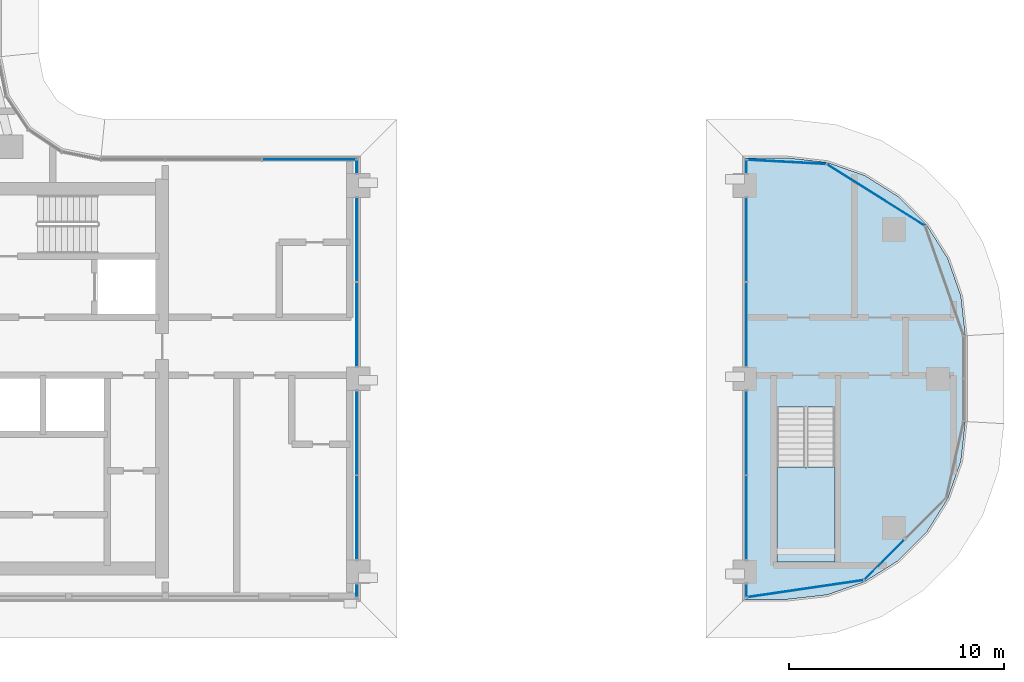
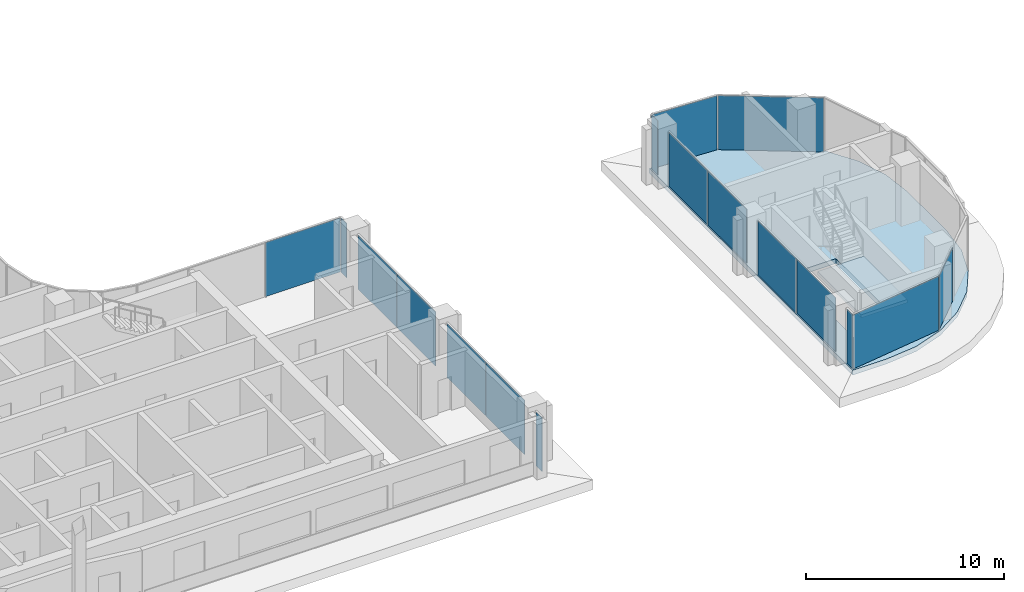
# One storey, part 9 of 27: 17 plates, 2 slabs, 12 elements without a shape of their own.
"""IFC4 building model written with IfcOpenShell, lengths in metres."""

from ifc_helpers import new_model, si_unit, direction, frame, origin, origin_2d, place, context, subcontext, project, spatial, polyline, rectangle, outline, extrude, material, layer, layer_set, type_object, element, aggregate, save


model = new_model("IFC4")

# Units and contexts
model_context = context("Model", 3, precision=1e-05, world=origin(), true_north=direction((0.0, 1.0)))
body_context = subcontext(model_context, "Body", "Model", "MODEL_VIEW")
ifc_project = project(units=[si_unit("LENGTHUNIT", "METRE"), si_unit("AREAUNIT", "SQUARE_METRE"), si_unit("VOLUMEUNIT", "CUBIC_METRE"), si_unit("PLANEANGLEUNIT", "RADIAN"), si_unit("MASSUNIT", "GRAM", prefix="KILO")], contexts=[model_context])

# Site, building, storey
site_placement = place(None, origin())
site = spatial("IfcSite", under=ifc_project, at=site_placement, CompositionType="ELEMENT")
building_placement = place(site_placement, origin())
building = spatial("IfcBuilding", under=site, at=building_placement, Name="Ogive Portal Towers", CompositionType="ELEMENT")
storey_placement = place(building_placement, frame((0.0, 0.0, 160.699951171875)))
storey = spatial("IfcBuildingStorey", under=building, at=storey_placement, Name="L39", CompositionType="ELEMENT", Elevation=160.699951171875)

# Curtain wall, plate
ifc_material_1 = material(Name="Glass, clear low-iron insulated glazing", Category="glass")
curtain_wall_type_1 = type_object("IfcCurtainWallType", Name="CW PORTAL REVEAL", PredefinedType="NOTDEFINED", material=ifc_material_1)
curtain_wall_1_placement = place(storey_placement, origin())
curtain_wall_1 = element("IfcCurtainWall", 1, at=curtain_wall_1_placement, inside=storey, type_object=curtain_wall_type_1, Name="A:L39:f06:cw0~0", PredefinedType="NOTDEFINED")
ifc_layer_1 = layer(ifc_material_1, 0.028076171875)
ifc_layer_set_1 = layer_set([ifc_layer_1], Name="CW PANEL IGU 28")
plate_type = type_object("IfcPlateType", Name="CW PANEL IGU 28", PredefinedType="CURTAIN_PANEL", material=ifc_layer_set_1)
plate_1_placement = place(storey_placement, frame((67.419921875, 20.62255859375, 0.0), z_axis=(0.0, 0.0, 1.0), x_axis=(0.0, 1.0, 0.0)))
plate_1 = element("IfcPlate", 2, at=plate_1_placement, type_object=plate_type, Name="panel", PredefinedType="CURTAIN_PANEL", context=body_context, shape_type="SweptSolid", body=[
    extrude(rectangle(XDim=0.594970703125, YDim=0.028076171875, at=origin_2d()), origin(), (0.0, 0.0, 1.0), 3.340087890625),
])
aggregate(curtain_wall_1, [plate_1])

# Curtain wall, plates
curtain_wall_2_placement = place(storey_placement, origin())
curtain_wall_2 = element("IfcCurtainWall", 3, at=curtain_wall_2_placement, inside=storey, type_object=curtain_wall_type_1, Name="A:L39:f06:cw0~1", PredefinedType="NOTDEFINED")
plate_2_placement = place(storey_placement, frame((67.419921875, 24.02490234375, 0.0), z_axis=(0.0, 0.0, 1.0), x_axis=(0.0, 1.0, 0.0)))
plate_2 = element("IfcPlate", 4, at=plate_2_placement, type_object=plate_type, Name="panel", PredefinedType="CURTAIN_PANEL", context=body_context, shape_type="SweptSolid", body=[
    extrude(rectangle(XDim=3.889892578125, YDim=0.028076171875, at=origin_2d()), origin(), (0.0, 0.0, 1.0), 3.340087890625),
])
plate_3_placement = place(storey_placement, frame((67.419921875, 27.97509765625, 0.0), z_axis=(0.0, 0.0, 1.0), x_axis=(0.0, 1.0, 0.0)))
plate_3 = element("IfcPlate", 5, at=plate_3_placement, type_object=plate_type, Name="panel", PredefinedType="CURTAIN_PANEL", context=body_context, shape_type="SweptSolid", body=[
    extrude(rectangle(XDim=3.889892578125, YDim=0.028076171875, at=origin_2d()), origin(), (0.0, 0.0, 1.0), 3.340087890625),
])
aggregate(curtain_wall_2, [plate_2, plate_3])

curtain_wall_3_placement = place(storey_placement, origin())
curtain_wall_3 = element("IfcCurtainWall", 6, at=curtain_wall_3_placement, inside=storey, type_object=curtain_wall_type_1, Name="A:L39:f06:cw0~2", PredefinedType="NOTDEFINED")
plate_4_placement = place(storey_placement, frame((67.419921875, 33.02490234375, 0.0), z_axis=(0.0, 0.0, 1.0), x_axis=(0.0, 1.0, 0.0)))
plate_4 = element("IfcPlate", 7, at=plate_4_placement, type_object=plate_type, Name="panel", PredefinedType="CURTAIN_PANEL", context=body_context, shape_type="SweptSolid", body=[
    extrude(rectangle(XDim=3.889892578125, YDim=0.028076171875, at=origin_2d()), origin(), (0.0, 0.0, 1.0), 3.340087890625),
])
plate_5_placement = place(storey_placement, frame((67.419921875, 36.97509765625, 0.0), z_axis=(0.0, 0.0, 1.0), x_axis=(0.0, 1.0, 0.0)))
plate_5 = element("IfcPlate", 8, at=plate_5_placement, type_object=plate_type, Name="panel", PredefinedType="CURTAIN_PANEL", context=body_context, shape_type="SweptSolid", body=[
    extrude(rectangle(XDim=3.889892578125, YDim=0.028076171875, at=origin_2d()), origin(), (0.0, 0.0, 1.0), 3.340087890625),
])
aggregate(curtain_wall_3, [plate_4, plate_5])

# Curtain wall, plate
curtain_wall_4_placement = place(storey_placement, origin())
curtain_wall_4 = element("IfcCurtainWall", 9, at=curtain_wall_4_placement, inside=storey, type_object=curtain_wall_type_1, Name="A:L39:f06:cw0~3", PredefinedType="NOTDEFINED")
plate_6_placement = place(storey_placement, frame((67.419921875, 40.37744140625, 0.0), z_axis=(0.0, 0.0, 1.0), x_axis=(0.0, 1.0, 0.0)))
plate_6 = element("IfcPlate", 10, at=plate_6_placement, type_object=plate_type, Name="panel", PredefinedType="CURTAIN_PANEL", context=body_context, shape_type="SweptSolid", body=[
    extrude(rectangle(XDim=0.594970703125, YDim=0.028076171875, at=origin_2d()), origin(), (0.0, 0.0, 1.0), 3.340087890625),
])
aggregate(curtain_wall_4, [plate_6])

curtain_wall_type_2 = type_object("IfcCurtainWallType", Name="CW FRONT RIBBON 4500", PredefinedType="NOTDEFINED", material=ifc_material_1)
curtain_wall_5_placement = place(storey_placement, origin())
curtain_wall_5 = element("IfcCurtainWall", 11, at=curtain_wall_5_placement, inside=storey, type_object=curtain_wall_type_2, Name="A:L39:f07:cw0", PredefinedType="NOTDEFINED")
plate_7_placement = place(storey_placement, frame((65.2099609375, 40.705078125, 0.0), z_axis=(0.0, 0.0, 1.0), x_axis=(-1.0, 0.0, 0.0)))
plate_7 = element("IfcPlate", 12, at=plate_7_placement, type_object=plate_type, Name="panel", PredefinedType="CURTAIN_PANEL", context=body_context, shape_type="SweptSolid", body=[
    extrude(rectangle(XDim=4.360107421875, YDim=0.028076171875, at=origin_2d()), origin(), (0.0, 0.0, 1.0), 3.340087890625),
])
aggregate(curtain_wall_5, [plate_7])

curtain_wall_6_placement = place(storey_placement, origin())
curtain_wall_6 = element("IfcCurtainWall", 13, at=curtain_wall_6_placement, inside=storey, type_object=curtain_wall_type_1, Name="A:L39:f22:cw0~0", PredefinedType="NOTDEFINED")
plate_8_placement = place(storey_placement, frame((85.580078125, 40.375244140625, 0.0), z_axis=(0.0, 0.0, 1.0), x_axis=(0.0, -1.0, 0.0)))
plate_8 = element("IfcPlate", 14, at=plate_8_placement, type_object=plate_type, Name="panel", PredefinedType="CURTAIN_PANEL", context=body_context, shape_type="SweptSolid", body=[
    extrude(rectangle(XDim=0.590576171875, YDim=0.028076171875, at=origin_2d()), origin(), (0.0, 0.0, 1.0), 3.340087890625),
])
aggregate(curtain_wall_6, [plate_8])

# Curtain wall, plates
curtain_wall_7_placement = place(storey_placement, origin())
curtain_wall_7 = element("IfcCurtainWall", 15, at=curtain_wall_7_placement, inside=storey, type_object=curtain_wall_type_1, Name="A:L39:f22:cw0~1", PredefinedType="NOTDEFINED")
plate_9_placement = place(storey_placement, frame((85.580078125, 36.97509765625, 0.0), z_axis=(0.0, 0.0, 1.0), x_axis=(0.0, -1.0, 0.0)))
plate_9 = element("IfcPlate", 16, at=plate_9_placement, type_object=plate_type, Name="panel", PredefinedType="CURTAIN_PANEL", context=body_context, shape_type="SweptSolid", body=[
    extrude(rectangle(XDim=3.889892578125, YDim=0.028076171875, at=origin_2d()), origin(), (0.0, 0.0, 1.0), 3.340087890625),
])
plate_10_placement = place(storey_placement, frame((85.580078125, 33.02490234375, 0.0), z_axis=(0.0, 0.0, 1.0), x_axis=(0.0, -1.0, 0.0)))
plate_10 = element("IfcPlate", 17, at=plate_10_placement, type_object=plate_type, Name="panel", PredefinedType="CURTAIN_PANEL", context=body_context, shape_type="SweptSolid", body=[
    extrude(rectangle(XDim=3.889892578125, YDim=0.028076171875, at=origin_2d()), origin(), (0.0, 0.0, 1.0), 3.340087890625),
])
aggregate(curtain_wall_7, [plate_9, plate_10])

curtain_wall_8_placement = place(storey_placement, origin())
curtain_wall_8 = element("IfcCurtainWall", 18, at=curtain_wall_8_placement, inside=storey, type_object=curtain_wall_type_1, Name="A:L39:f22:cw0~2", PredefinedType="NOTDEFINED")
plate_11_placement = place(storey_placement, frame((85.580078125, 27.97509765625, 0.0), z_axis=(0.0, 0.0, 1.0), x_axis=(0.0, -1.0, 0.0)))
plate_11 = element("IfcPlate", 19, at=plate_11_placement, type_object=plate_type, Name="panel", PredefinedType="CURTAIN_PANEL", context=body_context, shape_type="SweptSolid", body=[
    extrude(rectangle(XDim=3.889892578125, YDim=0.028076171875, at=origin_2d()), origin(), (0.0, 0.0, 1.0), 3.340087890625),
])
plate_12_placement = place(storey_placement, frame((85.580078125, 24.02490234375, 0.0), z_axis=(0.0, 0.0, 1.0), x_axis=(0.0, -1.0, 0.0)))
plate_12 = element("IfcPlate", 20, at=plate_12_placement, type_object=plate_type, Name="panel", PredefinedType="CURTAIN_PANEL", context=body_context, shape_type="SweptSolid", body=[
    extrude(rectangle(XDim=3.889892578125, YDim=0.028076171875, at=origin_2d()), origin(), (0.0, 0.0, 1.0), 3.340087890625),
])
aggregate(curtain_wall_8, [plate_11, plate_12])

# Curtain wall, plate
curtain_wall_9_placement = place(storey_placement, origin())
curtain_wall_9 = element("IfcCurtainWall", 21, at=curtain_wall_9_placement, inside=storey, type_object=curtain_wall_type_1, Name="A:L39:f22:cw0~3", PredefinedType="NOTDEFINED")
plate_13_placement = place(storey_placement, frame((85.580078125, 20.62890625, 0.0), z_axis=(0.0, 0.0, 1.0), x_axis=(0.0, -1.0, 0.0)))
plate_13 = element("IfcPlate", 22, at=plate_13_placement, type_object=plate_type, Name="panel", PredefinedType="CURTAIN_PANEL", context=body_context, shape_type="SweptSolid", body=[
    extrude(rectangle(XDim=0.58251953125, YDim=0.028076171875, at=origin_2d()), origin(), (0.0, 0.0, 1.0), 3.340087890625),
])
aggregate(curtain_wall_9, [plate_13])

# Curtain wall, plates
curtain_wall_10_placement = place(storey_placement, origin())
curtain_wall_10 = element("IfcCurtainWall", 23, at=curtain_wall_10_placement, inside=storey, type_object=curtain_wall_type_2, Name="A:L39:f23:cwa~0", PredefinedType="NOTDEFINED")
plate_14_placement = place(storey_placement, frame((88.318359375, 20.709228515625, 0.0), z_axis=(0.0, 0.0, 1.0), x_axis=(0.989417123185, 0.145099125939, 0.0)))
plate_14 = element("IfcPlate", 24, at=plate_14_placement, type_object=plate_type, Name="panel", PredefinedType="CURTAIN_PANEL", context=body_context, shape_type="SweptSolid", body=[
    extrude(rectangle(XDim=5.4755859375, YDim=0.028076171875, at=origin_2d()), origin(), (0.0, 0.0, 1.0), 3.340087890625),
])
plate_15_placement = place(storey_placement, frame((92.00146484375, 22.055419921875, 0.0), z_axis=(0.0, 0.0, 1.0), x_axis=(0.707106781187, 0.707106781187, 0.0)))
plate_15 = element("IfcPlate", 25, at=plate_15_placement, type_object=plate_type, Name="panel", PredefinedType="CURTAIN_PANEL", context=body_context, shape_type="SweptSolid", body=[
    extrude(rectangle(XDim=2.61181640625, YDim=0.028076171875, at=origin_2d()), origin(), (0.0, 0.0, 1.0), 3.340087890625),
])
aggregate(curtain_wall_10, [plate_14, plate_15])

curtain_wall_11_placement = place(storey_placement, origin())
curtain_wall_11 = element("IfcCurtainWall", 26, at=curtain_wall_11_placement, inside=storey, type_object=curtain_wall_type_2, Name="A:L39:f27:cwa", PredefinedType="NOTDEFINED")
plate_16_placement = place(storey_placement, frame((91.614990234375, 39.0556640625, 0.0), z_axis=(0.0, 0.0, 1.0), x_axis=(-0.846724199227, 0.532032076517, 0.0)))
plate_16 = element("IfcPlate", 27, at=plate_16_placement, type_object=plate_type, Name="panel", PredefinedType="CURTAIN_PANEL", context=body_context, shape_type="SweptSolid", body=[
    extrude(rectangle(XDim=5.364013671875, YDim=0.028076171875, at=origin_2d()), origin(), (0.0, 0.0, 1.0), 3.340087890625),
])
plate_17_placement = place(storey_placement, frame((87.44921875, 40.599609375, 0.0), z_axis=(0.0, 0.0, 1.0), x_axis=(-0.998542821468, 0.053965115528, 0.0)))
plate_17 = element("IfcPlate", 28, at=plate_17_placement, type_object=plate_type, Name="panel", PredefinedType="CURTAIN_PANEL", context=body_context, shape_type="SweptSolid", body=[
    extrude(rectangle(XDim=3.68408203125, YDim=0.028076171875, at=origin_2d()), origin(), (0.0, 0.0, 1.0), 3.340087890625),
])
aggregate(curtain_wall_11, [plate_16, plate_17])

# Stair, slab
ifc_material_2 = material(Name="Concrete C40/50", Category="concrete")
stair_type = type_object("IfcStairType", Name="INT-STAIR", PredefinedType="HALF_TURN_STAIR", material=ifc_material_2)
stair_placement = place(storey_placement, origin())
stair = element("IfcStair", 29, at=stair_placement, inside=storey, type_object=stair_type, Name="L39 Exit Stair ST-A4", PredefinedType="HALF_TURN_STAIR")
ifc_layer_2 = layer(ifc_material_2, 0.199951171875)
ifc_layer_set_2 = layer_set([ifc_layer_2], Name="INT-LANDING")
slab_type_1 = type_object("IfcSlabType", Name="INT-LANDING", PredefinedType="LANDING", material=ifc_layer_set_2)
slab_1_placement = place(storey_placement, frame((0.0, 0.0, 1.650146484375)))
slab_1 = element("IfcSlab", 30, at=slab_1_placement, type_object=slab_type_1, Name="ST-A4 landing 1", PredefinedType="LANDING", context=body_context, shape_type="SweptSolid", body=[
    extrude(outline(polyline([(87.0, 26.3701171875), (87.0, 21.949951171875), (89.699951171875, 21.949951171875), (89.699951171875, 26.3701171875), (87.0, 26.3701171875)])), origin(), (0.0, 0.0, 1.0), 0.199951171875),
])
aggregate(stair, [slab_1])

# Slab
ifc_material_3 = material(Name="Concrete C45/55", Category="concrete")
ifc_layer_3 = layer(ifc_material_3, 0.300048828125)
ifc_layer_set_3 = layer_set([ifc_layer_3], Name="PT FLAT PLATE 300")
slab_type_2 = type_object("IfcSlabType", Name="PT FLAT PLATE 300", PredefinedType="FLOOR", material=ifc_layer_set_3)
slab_2_placement = place(storey_placement, frame((0.0, 0.0, -0.300048828125)))
element("IfcSlab", 31, at=slab_2_placement, inside=storey, type_object=slab_type_2, Name="Floor slab L39", PredefinedType="FLOOR", context=body_context, shape_type="SweptSolid", body=[
    extrude(outline(polyline([(89.343505859375, 40.577392578125), (87.5, 40.784912109375), (85.5, 40.784912109375), (85.5, 20.215087890625), (87.5, 20.215087890625), (89.343505859375, 20.422607421875), (91.0947265625, 21.035400390625), (92.66552734375, 22.0224609375), (93.9775390625, 23.33447265625), (94.964599609375, 24.9052734375), (95.577392578125, 26.656494140625), (95.784912109375, 28.5), (95.784912109375, 32.5), (95.577392578125, 34.343505859375), (94.964599609375, 36.0947265625), (93.9775390625, 37.66552734375), (92.66552734375, 38.9775390625), (91.0947265625, 39.964599609375), (89.343505859375, 40.577392578125)]), holes=[polyline([(87.001953125, 21.951904296875), (87.001953125, 29.16796875), (89.697998046875, 29.16796875), (89.697998046875, 21.951904296875), (87.001953125, 21.951904296875)])]), origin(), (0.0, 0.0, 1.0), 0.300048828125),
])

save(model, "model.ifc")
